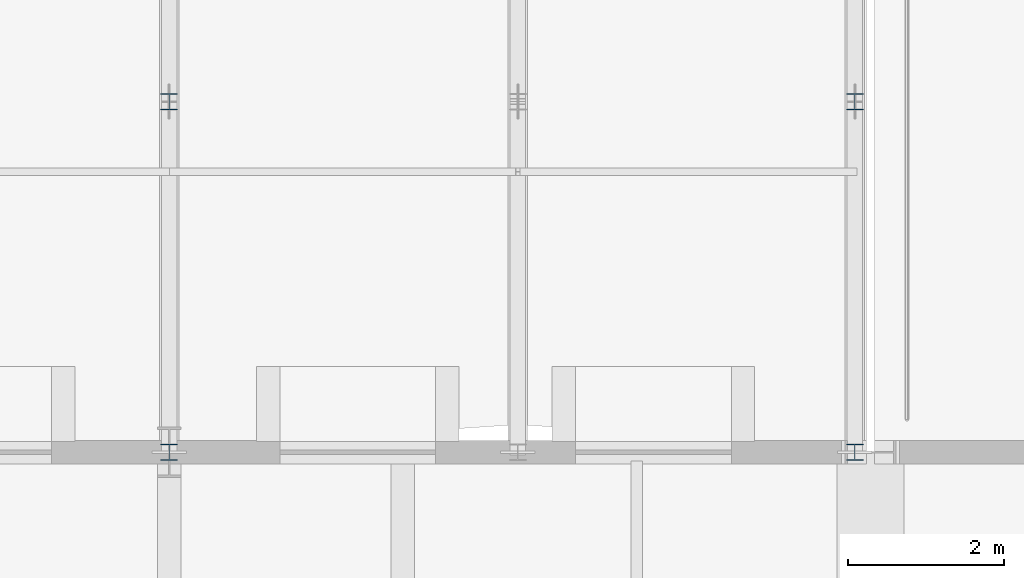
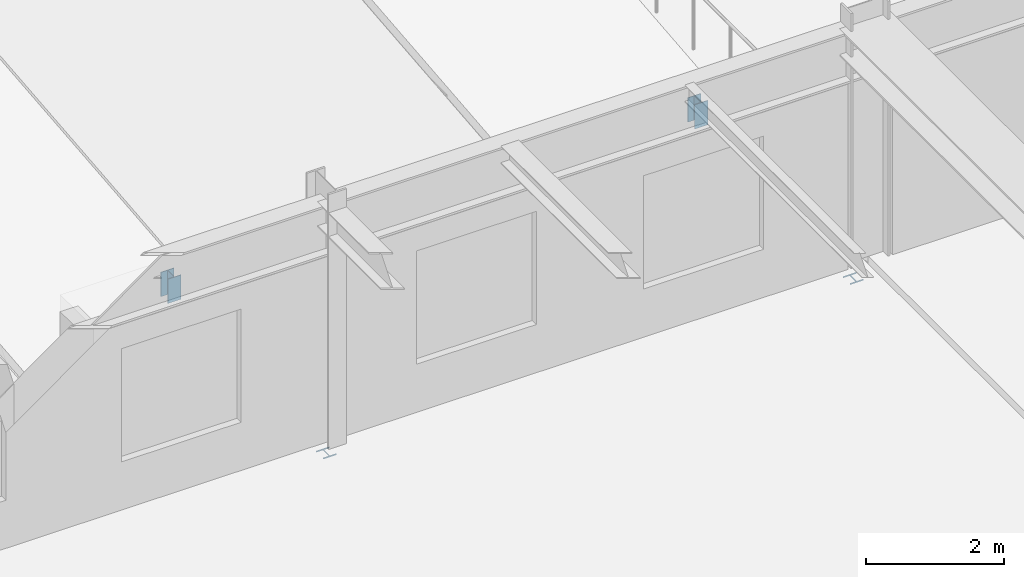
# One storey, part 97 of 142: 4 members.
"""IFC4 building model written with IfcOpenShell, lengths in metres."""

from ifc_helpers import new_model, si_unit, direction, frame, origin, origin_2d, place, context, subcontext, project, spatial, i_section, extrude, material, material_profile, profile_set, type_object, element, save


model = new_model("IFC4")

# Units and contexts
model_context = context("Model", 3, precision=1e-05, world=origin(), true_north=direction((0.0, 1.0)))
body_context = subcontext(model_context, "Body", "Model", "MODEL_VIEW")
ifc_project = project(units=[si_unit("LENGTHUNIT", "METRE"), si_unit("AREAUNIT", "SQUARE_METRE"), si_unit("VOLUMEUNIT", "CUBIC_METRE"), si_unit("PLANEANGLEUNIT", "RADIAN"), si_unit("MASSUNIT", "GRAM", prefix="KILO")], contexts=[model_context])

# Site, building, storey
site_placement = place(None, origin())
site = spatial("IfcSite", under=ifc_project, at=site_placement, CompositionType="ELEMENT")
building_placement = place(site_placement, origin())
building = spatial("IfcBuilding", under=site, at=building_placement, Name="Montelvaro Courts of Justice", CompositionType="ELEMENT")
storey_placement = place(building_placement, frame((0.0, 0.0, 14.39990234375)))
storey = spatial("IfcBuildingStorey", under=building, at=storey_placement, Name="L03", CompositionType="ELEMENT", Elevation=14.39990234375)

# Members
ifc_material = material(Name="Steel S355", Category="steel")
ifc_material_profile = material_profile(ifc_material, i_section(OverallWidth=0.219970703125, OverallDepth=0.2099609375, WebThickness=0.007080078125, FlangeThickness=0.010986328125, at=origin_2d()), Name="HEA 220")
ifc_profile_set = profile_set([ifc_material_profile], Name="Steel S355")
member_type = type_object("IfcMemberType", Name="Mem_HEA220_Post", PredefinedType="POST", material=ifc_profile_set)
member_1_placement = place(storey_placement, frame((90.0, 24.0, -0.2998046875), z_axis=(0.0, 0.0, -1.0), x_axis=(1.0, 0.0, 0.0)))
element("IfcMember", 1, at=member_1_placement, inside=storey, type_object=member_type, Name="Roof Truss Post MP-03 ROOF-PASSAGE-S-VTR03-V0", PredefinedType="POST", context=body_context, shape_type="SweptSolid", body=[
    extrude(i_section(OverallWidth=0.219970703125, OverallDepth=0.2099609375, WebThickness=0.007080078125, FlangeThickness=0.010986328125, at=origin_2d()), origin(), (0.0, 0.0, 1.0), 0.02001953125),
])
member_2_placement = place(storey_placement, frame((90.0, 28.5, -0.2998046875), z_axis=(0.0, 0.0, 1.0), x_axis=(1.0, 0.0, 0.0)))
element("IfcMember", 2, at=member_2_placement, inside=storey, type_object=member_type, Name="Roof Truss Post MP-03 ROOF-PASSAGE-S-VTR03-V1", PredefinedType="POST", context=body_context, shape_type="SweptSolid", body=[
    extrude(i_section(OverallWidth=0.219970703125, OverallDepth=0.2099609375, WebThickness=0.007080078125, FlangeThickness=0.010986328125, at=origin_2d()), origin(), (0.0, 0.0, 1.0), 0.429931640625),
])
member_3_placement = place(storey_placement, frame((98.800048828125, 24.0, -0.2998046875), z_axis=(0.0, 0.0, -1.0), x_axis=(1.0, 0.0, 0.0)))
element("IfcMember", 3, at=member_3_placement, inside=storey, type_object=member_type, Name="Roof Truss Post MP-03 ROOF-PASSAGE-S-VTR04-V0", PredefinedType="POST", context=body_context, shape_type="SweptSolid", body=[
    extrude(i_section(OverallWidth=0.219970703125, OverallDepth=0.2099609375, WebThickness=0.007080078125, FlangeThickness=0.010986328125, at=origin_2d()), origin(), (0.0, 0.0, 1.0), 0.02001953125),
])
member_4_placement = place(storey_placement, frame((98.800048828125, 28.5, -0.2998046875), z_axis=(0.0, 0.0, 1.0), x_axis=(1.0, 0.0, 0.0)))
element("IfcMember", 4, at=member_4_placement, inside=storey, type_object=member_type, Name="Roof Truss Post MP-03 ROOF-PASSAGE-S-VTR04-V1", PredefinedType="POST", context=body_context, shape_type="SweptSolid", body=[
    extrude(i_section(OverallWidth=0.219970703125, OverallDepth=0.2099609375, WebThickness=0.007080078125, FlangeThickness=0.010986328125, at=origin_2d()), origin(), (0.0, 0.0, 1.0), 0.429931640625),
])

save(model, "model.ifc")
